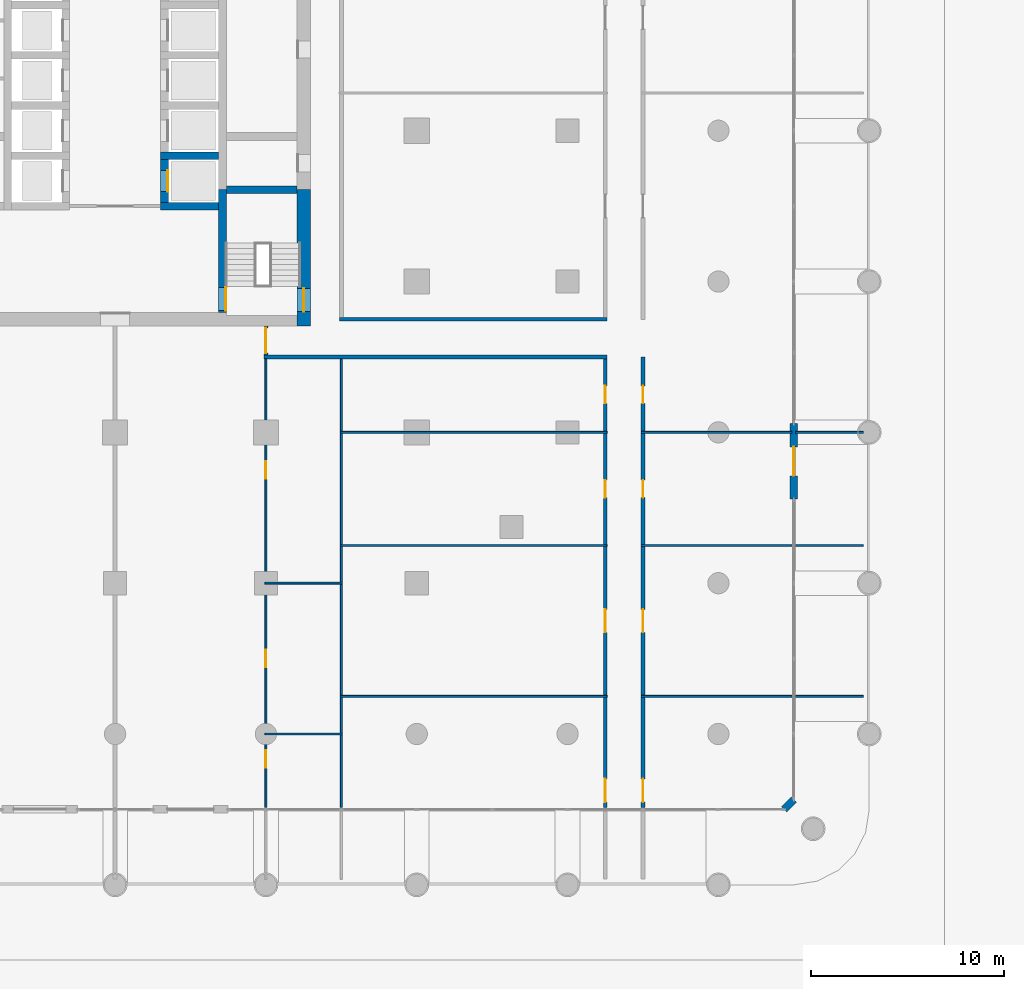
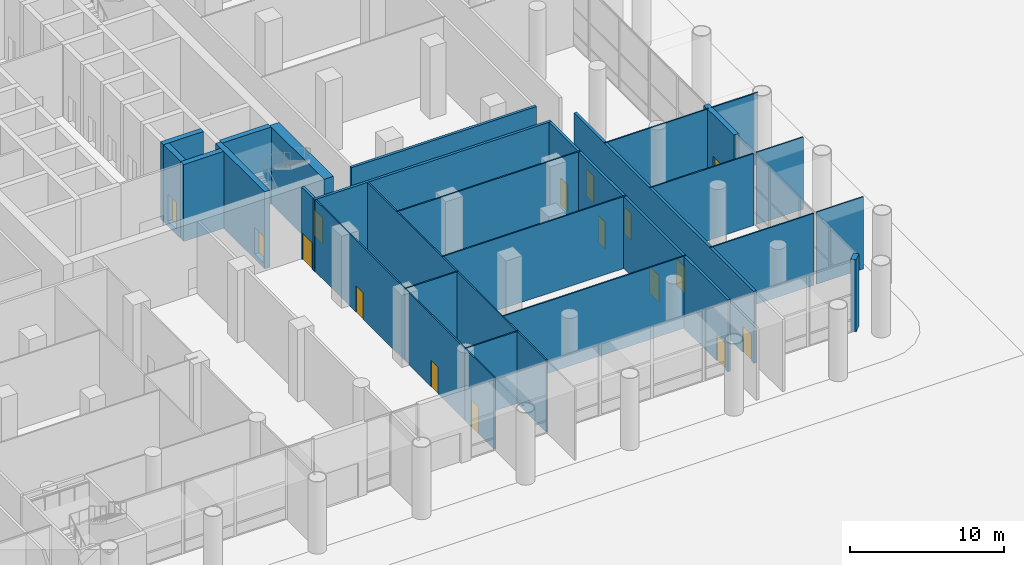
# One storey, part 12 of 32: 26 walls, 16 doors, 16 openings.
"""IFC4 building model written with IfcOpenShell, lengths in metres."""

import ifcopenshell
import ifcopenshell.guid

model = None  # the IFC model being written
_history = None  # IfcOwnerHistory: only IFC2X3 demands one
_inside = {}  # id of a spatial element -> (the spatial element, [elements in it])
_under = {}  # id of a project, library or spatial element -> (it, [spatial elements below it])
_declared = {}  # id of a project -> (the project, [libraries it declares])
_typed = {}  # id of a type object -> (the type object, [elements of that type])
_made_of = {}  # id of a material, layer set ... -> (it, [elements and type objects made of it])


def new_model(schema):
    """Start an empty IFC model of exactly this schema.

    Asked for "IFC4X3", IfcOpenShell would pick the latest addendum, in which some entities
    have other attributes; the version numbers below select the first issue.
    IFC2X3 requires an IfcOwnerHistory on every rooted entity: one is made here for all.
    """
    global model, _history
    if schema == "IFC4X3":
        model = ifcopenshell.file(schema_version=(4, 3, 0, 0))
    else:
        model = ifcopenshell.file(schema=schema)
    _inside.clear()
    _under.clear()
    _declared.clear()
    _typed.clear()
    _made_of.clear()
    _history = None
    if model.schema == "IFC2X3":
        org = make("IfcOrganization", Name="unknown")
        user = make(
            "IfcPersonAndOrganization",
            ThePerson=make("IfcPerson", FamilyName="unknown"),
            TheOrganization=org,
        )
        app = make(
            "IfcApplication",
            ApplicationDeveloper=org,
            Version="unknown",
            ApplicationFullName="unknown",
            ApplicationIdentifier="unknown",
        )
        _history = make(
            "IfcOwnerHistory",
            OwningUser=user,
            OwningApplication=app,
            ChangeAction="ADDED",
            CreationDate=0,
        )
    return model


def make(cls, **values):
    """One entity of the class cls with the attributes given. An attribute that is None is left unset."""
    return model.create_entity(
        cls, **{name: value for name, value in values.items() if value is not None}
    )


def rooted(cls, **values):
    """An entity with a GlobalId (a new one), such as an element, a storey or a relation."""
    return make(cls, GlobalId=ifcopenshell.guid.new(), OwnerHistory=_history, **values)


def si_unit(unit_type, name, prefix=None):
    """IfcSIUnit, for example si_unit("LENGTHUNIT", "METRE", prefix="MILLI")."""
    return make("IfcSIUnit", UnitType=unit_type, Prefix=prefix, Name=name)


def assignment(units):
    """IfcUnitAssignment: the units of a project."""
    return None if units is None else make("IfcUnitAssignment", Units=units)


def point(xyz):
    """IfcCartesianPoint."""
    return None if xyz is None else make("IfcCartesianPoint", Coordinates=xyz)


def direction(xyz):
    """IfcDirection."""
    return None if xyz is None else make("IfcDirection", DirectionRatios=xyz)


def frame(location, z_axis=None, x_axis=None):
    """IfcAxis2Placement3D, a coordinate frame: its origin and axes. An axis left out is left unset."""
    return make(
        "IfcAxis2Placement3D",
        Location=point(location),
        Axis=direction(z_axis),
        RefDirection=direction(x_axis),
    )


def frame_2d(location, x_axis=None):
    """IfcAxis2Placement2D, a coordinate frame in the plane: its origin and x axis."""
    return make(
        "IfcAxis2Placement2D", Location=point(location), RefDirection=direction(x_axis)
    )


def origin():
    """The frame at (0, 0, 0) with its axes left unset."""
    return frame((0.0, 0.0, 0.0))


def place(relative_to, where):
    """IfcLocalPlacement: puts the frame where relative to a parent placement (None: the world)."""
    return make(
        "IfcLocalPlacement", PlacementRelTo=relative_to, RelativePlacement=where
    )


def context(
    kind, dimensions, precision=None, world=None, true_north=None, identifier=None
):
    """IfcGeometricRepresentationContext, for example the 3D "Model" context."""
    return make(
        "IfcGeometricRepresentationContext",
        ContextIdentifier=identifier,
        ContextType=kind,
        CoordinateSpaceDimension=dimensions,
        Precision=precision,
        WorldCoordinateSystem=world,
        TrueNorth=true_north,
    )


def subcontext(parent, identifier, kind, view, scale=None):
    """IfcGeometricRepresentationSubContext, for example "Body" below "Model"."""
    return make(
        "IfcGeometricRepresentationSubContext",
        ContextIdentifier=identifier,
        ContextType=kind,
        ParentContext=parent,
        TargetScale=scale,
        TargetView=view,
    )


def project(units=None, contexts=None):
    """IfcProject with its units and contexts."""
    return rooted(
        "IfcProject",
        Name="project",
        RepresentationContexts=contexts,
        UnitsInContext=assignment(units),
    )


def spatial(cls, under=None, at=None, **own):
    """A site, building, storey or space (cls), placed at a placement, below another one or the project."""
    s = rooted(cls, ObjectPlacement=at, **own)
    if under is not None:
        _under.setdefault(under.id(), (under, []))[1].append(s)
    return s


def profile(cls, at=None, kind="AREA", **sizes):
    """A parametric profile (cls). Its sizes go by their IFC names, for example OverallWidth=200.0."""
    return make(cls, ProfileType=kind, Position=at, **sizes)


def rectangle(**sizes):
    """IfcRectangleProfileDef."""
    return profile("IfcRectangleProfileDef", **sizes)


def extrude(swept, where, along, depth):
    """IfcExtrudedAreaSolid: the profile swept, set in the frame where, extruded along a direction by depth."""
    return make(
        "IfcExtrudedAreaSolid",
        SweptArea=swept,
        Position=where,
        ExtrudedDirection=direction(along),
        Depth=depth,
    )


def shape(context_of_items, identifier, shape_type, items):
    """IfcShapeRepresentation: the items that make up one representation, for example the "Body"."""
    return make(
        "IfcShapeRepresentation",
        ContextOfItems=context_of_items,
        RepresentationIdentifier=identifier,
        RepresentationType=shape_type,
        Items=items,
    )


def material(Name=None, Category=None):
    """IfcMaterial."""
    return make("IfcMaterial", Name=Name, Category=Category)


def layer(
    of_material, thickness, ventilated=None, Name=None, Category=None, Priority=None
):
    """IfcMaterialLayer: one layer of a wall or slab, of a material (None: an air gap)."""
    return make(
        "IfcMaterialLayer",
        Material=of_material,
        LayerThickness=thickness,
        IsVentilated=ventilated,
        Name=Name,
        Category=Category,
        Priority=Priority,
    )


def layer_set(layers, Name=None):
    """IfcMaterialLayerSet."""
    return make("IfcMaterialLayerSet", MaterialLayers=layers, LayerSetName=Name)


def made_of(thing, what):
    """Note that an element or type object is made of a material, layer set ...; save() writes the relation."""
    if what is not None:
        _made_of.setdefault(what.id(), (what, []))[1].append(thing)
    return thing


def type_object(cls, material=None, **own):
    """A type object (cls), such as IfcWallType, which elements share."""
    return made_of(rooted(cls, **own), material)


def element(
    cls,
    number,
    at=None,
    inside=None,
    cuts=None,
    type_object=None,
    material=None,
    context=None,
    identifier="Body",
    shape_type=None,
    held_by="IfcProductDefinitionShape",
    body=None,
    shapes=None,
    **own,
):
    """One element of the class cls, such as IfcWall. Its Tag is "e" and its number.

    at: its placement. inside: the storey or other place that contains it. cuts: it is an
    opening in that element (IfcRelVoidsElement). A single representation is given by context,
    identifier, shape_type and body (its items); several are given by shapes. held_by: the class
    of the entity that holds the representations. save() writes the other relations.
    """
    e = rooted(cls, Tag="e%d" % number, ObjectPlacement=at, **own)
    if body is not None:
        shapes = [shape(context, identifier, shape_type, body)]
    if shapes is not None:
        e.Representation = make(held_by, Representations=shapes)
    if inside is not None:
        _inside.setdefault(inside.id(), (inside, []))[1].append(e)
    if cuts is not None:
        rooted(
            "IfcRelVoidsElement", RelatingBuildingElement=cuts, RelatedOpeningElement=e
        )
    if type_object is not None:
        _typed.setdefault(type_object.id(), (type_object, []))[1].append(e)
    return made_of(e, material)


def fill(opening, filler):
    """IfcRelFillsElement: the door or window that sits in an opening."""
    return rooted(
        "IfcRelFillsElement",
        RelatingOpeningElement=opening,
        RelatedBuildingElement=filler,
    )


def aggregate(whole, parts):
    """IfcRelAggregates: a whole, such as a stair, and the parts it consists of."""
    return rooted("IfcRelAggregates", RelatingObject=whole, RelatedObjects=parts)


def save(model, path):
    """Write the relations noted so far, then the file.

    IfcRelAggregates (storeys below a building ...), IfcRelContainedInSpatialStructure (elements
    in a storey), IfcRelDefinesByType, IfcRelAssociatesMaterial and IfcRelDeclares: one each for
    every whole, place, type object, material and project.
    """
    for whole, parts in _under.values():
        aggregate(whole, parts)
    for where, things in _inside.values():
        rooted(
            "IfcRelContainedInSpatialStructure",
            RelatedElements=things,
            RelatingStructure=where,
        )
    for kind, things in _typed.values():
        rooted("IfcRelDefinesByType", RelatedObjects=things, RelatingType=kind)
    for what, things in _made_of.values():
        rooted("IfcRelAssociatesMaterial", RelatedObjects=things, RelatingMaterial=what)
    for by, libraries in _declared.values():
        rooted("IfcRelDeclares", RelatingContext=by, RelatedDefinitions=libraries)
    model.write(path)


model = new_model("IFC4")

# Units and contexts
model_context = context("Model", 3, precision=1e-05, world=origin(), true_north=direction((0.0, 1.0)))
body_context = subcontext(model_context, "Body", "Model", "MODEL_VIEW")
ifc_project = project(units=[si_unit("LENGTHUNIT", "METRE"), si_unit("AREAUNIT", "SQUARE_METRE"), si_unit("VOLUMEUNIT", "CUBIC_METRE"), si_unit("PLANEANGLEUNIT", "RADIAN"), si_unit("MASSUNIT", "GRAM", prefix="KILO")], contexts=[model_context])

# Site, building, storey
site_placement = place(None, origin())
site = spatial("IfcSite", under=ifc_project, at=site_placement, CompositionType="ELEMENT")
building_placement = place(site_placement, origin())
building = spatial("IfcBuilding", under=site, at=building_placement, Name="Ludao Terraces", CompositionType="ELEMENT")
storey_placement = place(building_placement, origin())
storey = spatial("IfcBuildingStorey", under=building, at=storey_placement, Name="L00", CompositionType="ELEMENT", Elevation=0.0)

# Wall, opening, door
ifc_material_1 = material(Name="Concrete C70", Category="concrete")
ifc_layer_1 = layer(ifc_material_1, 0.699951171875)
ifc_layer_set_1 = layer_set([ifc_layer_1], Name="Core wall 700 C70")
wall_type_1 = type_object("IfcWallType", Name="Core wall 700 C70", PredefinedType="SOLIDWALL", material=ifc_layer_set_1)
wall_1_placement = place(storey_placement, frame((94.75, 54.89990234375, -0.39990234375), z_axis=(0.0, 0.0, 1.0), x_axis=(0.0, 1.0, 0.0)))
wall_1 = element("IfcWall", 1, at=wall_1_placement, inside=storey, type_object=wall_type_1, Name="Core wall L00 outer-E-S3", PredefinedType="SOLIDWALL", context=body_context, shape_type="SweptSolid", body=[
    extrude(rectangle(XDim=7.050048828125, YDim=0.699951171875, at=frame_2d((3.52490234375, 0.0))), origin(), (0.0, 0.0, 1.0), 6.099853515625),
])
opening_1_placement = place(wall_1_placement, frame((0.75, 0.0, 0.39990234375)))
opening_1 = element("IfcOpeningElement", 2, at=opening_1_placement, cuts=wall_1, Name="Opening L00-027", PredefinedType="OPENING", context=body_context, shape_type="SweptSolid", body=[
    extrude(rectangle(XDim=1.199951171875, YDim=2.10009765625, at=frame_2d((0.60009765625, 1.050048828125))), frame((0.0, 0.35986328125, 0.0), z_axis=(0.0, -1.0, 0.0), x_axis=(1.0, 0.0, 0.0)), (0.0, 0.0, 1.0), 0.719970703125),
])
ifc_material_2 = material(Name="Steel Q235", Category="steel")
door_type_1 = type_object("IfcDoorType", Name="INT Stair door 1200", OperationType="DOUBLE_DOOR_SINGLE_SWING", PredefinedType="DOOR", material=ifc_material_2)
door_1_placement = place(opening_1_placement, frame((1.199951171875, 0.0, 0.0), z_axis=(0.0, 0.0, 1.0), x_axis=(-1.0, 0.0, 0.0)))
door_1 = element("IfcDoor", 3, at=door_1_placement, inside=storey, type_object=door_type_1, Name="DOOR 027", OperationType="DOUBLE_DOOR_SINGLE_SWING", OverallHeight=2.10009765625, OverallWidth=1.199951171875, PredefinedType="DOOR", context=body_context, shape_type="SweptSolid", body=[
    extrude(rectangle(XDim=1.199951171875, YDim=2.10009765625, at=frame_2d((0.60009765625, 1.050048828125))), frame((0.0, 0.02490234375, 0.0), z_axis=(0.0, -1.0, 0.0), x_axis=(1.0, 0.0, 0.0)), (0.0, 0.0, 1.0), 0.050048828125),
])
fill(opening_1, door_1)

ifc_material_3 = material(Name="Granite cladding", Category="masonry")
ifc_layer_2 = layer(ifc_material_3, 0.06005859375, Category="stone")
ifc_material_4 = material(Name="Mineral wool")
ifc_layer_3 = layer(ifc_material_4, 0.06005859375)
ifc_material_5 = material(Name="Concrete C40", Category="concrete")
ifc_layer_4 = layer(ifc_material_5, 0.260009765625, Category="concrete")
ifc_layer_set_2 = layer_set([ifc_layer_2, ifc_layer_3, ifc_layer_4], Name="ENV Entrance portal wall 380")
wall_type_2 = type_object("IfcWallType", Name="ENV Entrance portal wall 380", PredefinedType="SOLIDWALL", material=ifc_layer_set_2)
wall_2_placement = place(storey_placement, frame((120.10009765625, 45.949951171875, 0.0), z_axis=(0.0, 0.0, 1.0), x_axis=(0.0, 1.0, 0.0)))
wall_2 = element("IfcWall", 4, at=wall_2_placement, inside=storey, type_object=wall_type_2, Name="EW-L00-EP4", PredefinedType="SOLIDWALL", context=body_context, shape_type="SweptSolid", body=[
    extrude(rectangle(XDim=3.900146484375, YDim=0.3798828125, at=frame_2d((1.9501953125, 0.0))), origin(), (0.0, 0.0, 1.0), 5.699951171875),
])
opening_2_placement = place(wall_2_placement, frame((1.199951171875, 0.0, 0.0)))
opening_2 = element("IfcOpeningElement", 5, at=opening_2_placement, cuts=wall_2, Name="Opening XD", PredefinedType="OPENING", context=body_context, shape_type="SweptSolid", body=[
    extrude(rectangle(XDim=1.5, YDim=2.39990234375, at=frame_2d((0.75, 1.199951171875))), frame((0.0, 0.199951171875, 0.0), z_axis=(0.0, -1.0, 0.0), x_axis=(1.0, 0.0, 0.0)), (0.0, 0.0, 1.0), 0.39990234375),
])
ifc_layer_5 = layer(ifc_material_2, 0.06005859375)
ifc_layer_set_3 = layer_set([ifc_layer_5], Name="ENV Stair discharge door XD 1500x2400")
door_type_2 = type_object("IfcDoorType", Name="ENV Stair discharge door XD 1500x2400", OperationType="DOUBLE_DOOR_SINGLE_SWING", PredefinedType="DOOR", material=ifc_layer_set_3)
door_2_placement = place(opening_2_placement, frame((1.5, 0.0, 0.0), z_axis=(0.0, 0.0, 1.0), x_axis=(-1.0, 0.0, 0.0)))
door_2 = element("IfcDoor", 6, at=door_2_placement, inside=storey, type_object=door_type_2, Name="EX-L00-E4", OperationType="DOUBLE_DOOR_SINGLE_SWING", OverallHeight=2.39990234375, OverallWidth=1.5, PredefinedType="DOOR", context=body_context, shape_type="SweptSolid", body=[
    extrude(rectangle(XDim=1.5, YDim=2.39990234375, at=frame_2d((0.75, 1.199951171875))), frame((0.0, 0.02490234375, 0.0), z_axis=(0.0, -1.0, 0.0), x_axis=(1.0, 0.0, 0.0)), (0.0, 0.0, 1.0), 0.050048828125),
])
fill(opening_2, door_2)

# Walls
ifc_layer_6 = layer(ifc_material_3, 0.06005859375, Category="stone")
ifc_layer_7 = layer(ifc_material_4, 0.06005859375)
ifc_layer_8 = layer(ifc_material_5, 0.260009765625, Category="concrete")
ifc_layer_set_4 = layer_set([ifc_layer_6, ifc_layer_7, ifc_layer_8], Name="ENV Stone-clad wall 380")
wall_type_3 = type_object("IfcWallType", Name="ENV Stone-clad wall 380", PredefinedType="SOLIDWALL", material=ifc_layer_set_4)
wall_3_placement = place(storey_placement, frame((119.60009765625, 29.89990234375, 0.0), z_axis=(0.0, 0.0, 1.0), x_axis=(0.707106781187, 0.707106781187, 0.0)))
element("IfcWall", 7, at=wall_3_placement, inside=storey, type_object=wall_type_3, Name="EW-L00-SE", PredefinedType="SOLIDWALL", context=body_context, shape_type="SweptSolid", body=[
    extrude(rectangle(XDim=0.70703125, YDim=0.3798828125, at=frame_2d((0.353515625, 0.0))), origin(), (0.0, 0.0, 1.0), 5.699951171875),
])
ifc_material_6 = material(Name="Autoclaved aerated concrete block B06 A3.5", Category="concrete")
ifc_layer_9 = layer(ifc_material_6, 0.199951171875)
ifc_layer_set_5 = layer_set([ifc_layer_9], Name="INT Entrance wall 200")
wall_type_4 = type_object("IfcWallType", Name="INT Entrance wall 200", PredefinedType="PARTITIONING", material=ifc_layer_set_5)
wall_4_placement = place(storey_placement, frame((92.7001953125, 53.300048828125, 0.0), z_axis=(0.0, 0.0, 1.0), x_axis=(1.0, 0.0, 0.0)))
element("IfcWall", 8, at=wall_4_placement, inside=storey, type_object=wall_type_4, Name="PW-L00-PW023", PredefinedType="PARTITIONING", context=body_context, shape_type="SweptSolid", body=[
    extrude(rectangle(XDim=17.75, YDim=0.199951171875, at=frame_2d((8.875, 0.0))), origin(), (0.0, 0.0, 1.0), 5.699951171875),
])
wall_5_placement = place(storey_placement, frame((96.60009765625, 55.25, 0.0), z_axis=(0.0, 0.0, 1.0), x_axis=(1.0, 0.0, 0.0)))
element("IfcWall", 9, at=wall_5_placement, inside=storey, type_object=wall_type_4, Name="PW-L00-PW025", PredefinedType="PARTITIONING", context=body_context, shape_type="SweptSolid", body=[
    extrude(rectangle(XDim=13.85009765625, YDim=0.199951171875, at=frame_2d((6.925048828125, 0.0))), origin(), (0.0, 0.0, 1.0), 5.699951171875),
])

# Wall, opening, door
wall_6_placement = place(storey_placement, frame((92.800048828125, 53.400146484375, 0.0), z_axis=(0.0, 0.0, 1.0), x_axis=(0.0, 1.0, 0.0)))
wall_6 = element("IfcWall", 10, at=wall_6_placement, inside=storey, type_object=wall_type_4, Name="PW-L00-PW066", PredefinedType="PARTITIONING", context=body_context, shape_type="SweptSolid", body=[
    extrude(rectangle(XDim=1.5, YDim=0.199951171875, at=frame_2d((0.75, 0.0))), origin(), (0.0, 0.0, 1.0), 5.699951171875),
])
opening_3_placement = place(wall_6_placement, frame((0.10009765625, 0.0, 0.0)))
opening_3 = element("IfcOpeningElement", 11, at=opening_3_placement, cuts=wall_6, Name="Opening L00-024", PredefinedType="OPENING", context=body_context, shape_type="SweptSolid", body=[
    extrude(rectangle(XDim=1.300048828125, YDim=2.10009765625, at=frame_2d((0.64990234375, 1.050048828125))), frame((0.0, 0.10986328125, 0.0), z_axis=(0.0, -1.0, 0.0), x_axis=(1.0, 0.0, 0.0)), (0.0, 0.0, 1.0), 0.219970703125),
])
door_type_3 = type_object("IfcDoorType", Name="INT Lobby door 1300", OperationType="DOUBLE_DOOR_SINGLE_SWING", PredefinedType="DOOR", material=ifc_material_2)
door_3_placement = place(opening_3_placement, origin())
door_3 = element("IfcDoor", 12, at=door_3_placement, inside=storey, type_object=door_type_3, Name="DOOR 024", OperationType="DOUBLE_DOOR_SINGLE_SWING", OverallHeight=2.10009765625, OverallWidth=1.300048828125, PredefinedType="DOOR", context=body_context, shape_type="SweptSolid", body=[
    extrude(rectangle(XDim=1.300048828125, YDim=2.10009765625, at=frame_2d((0.64990234375, 1.050048828125))), frame((0.0, 0.02490234375, 0.0), z_axis=(0.0, -1.0, 0.0), x_axis=(1.0, 0.0, 0.0)), (0.0, 0.0, 1.0), 0.050048828125),
])
fill(opening_3, door_3)

# Wall, openings, doors
wall_7_placement = place(storey_placement, frame((110.35009765625, 30.0, 0.0), z_axis=(0.0, 0.0, 1.0), x_axis=(0.0, 1.0, 0.0)))
wall_7 = element("IfcWall", 13, at=wall_7_placement, inside=storey, type_object=wall_type_4, Name="PW-L00-PW072", PredefinedType="PARTITIONING", context=body_context, shape_type="SweptSolid", body=[
    extrude(rectangle(XDim=23.2001953125, YDim=0.199951171875, at=frame_2d((11.60009765625, 0.0))), origin(), (0.0, 0.0, 1.0), 5.699951171875),
])
opening_4_placement = place(wall_7_placement, frame((0.27490234375, 0.0, 0.0)))
opening_4 = element("IfcOpeningElement", 14, at=opening_4_placement, cuts=wall_7, Name="Opening L00-003", PredefinedType="OPENING", context=body_context, shape_type="SweptSolid", body=[
    extrude(rectangle(XDim=1.199951171875, YDim=2.10009765625, at=frame_2d((0.60009765625, 1.050048828125))), frame((0.0, 0.10986328125, 0.0), z_axis=(0.0, -1.0, 0.0), x_axis=(1.0, 0.0, 0.0)), (0.0, 0.0, 1.0), 0.219970703125),
])
opening_5_placement = place(wall_7_placement, frame((9.050048828125, 0.0, 0.0)))
opening_5 = element("IfcOpeningElement", 15, at=opening_5_placement, cuts=wall_7, Name="Opening L00-011", PredefinedType="OPENING", context=body_context, shape_type="SweptSolid", body=[
    extrude(rectangle(XDim=1.199951171875, YDim=2.10009765625, at=frame_2d((0.60009765625, 1.050048828125))), frame((0.0, 0.10986328125, 0.0), z_axis=(0.0, -1.0, 0.0), x_axis=(1.0, 0.0, 0.0)), (0.0, 0.0, 1.0), 0.219970703125),
])
opening_6_placement = place(wall_7_placement, frame((16.02490234375, 0.0, 0.0)))
opening_6 = element("IfcOpeningElement", 16, at=opening_6_placement, cuts=wall_7, Name="Opening L00-015", PredefinedType="OPENING", context=body_context, shape_type="SweptSolid", body=[
    extrude(rectangle(XDim=0.89990234375, YDim=2.10009765625, at=frame_2d((0.449951171875, 1.050048828125))), frame((0.0, 0.10986328125, 0.0), z_axis=(0.0, -1.0, 0.0), x_axis=(1.0, 0.0, 0.0)), (0.0, 0.0, 1.0), 0.219970703125),
])
opening_7_placement = place(wall_7_placement, frame((20.89990234375, 0.0, 0.0)))
opening_7 = element("IfcOpeningElement", 17, at=opening_7_placement, cuts=wall_7, Name="Opening L00-021", PredefinedType="OPENING", context=body_context, shape_type="SweptSolid", body=[
    extrude(rectangle(XDim=0.89990234375, YDim=2.10009765625, at=frame_2d((0.449951171875, 1.050048828125))), frame((0.0, 0.10986328125, 0.0), z_axis=(0.0, -1.0, 0.0), x_axis=(1.0, 0.0, 0.0)), (0.0, 0.0, 1.0), 0.219970703125),
])
ifc_material_7 = material(Name="Timber door leaf", Category="wood")
door_type_4 = type_object("IfcDoorType", Name="INT Double door 1200", OperationType="DOUBLE_DOOR_SINGLE_SWING", PredefinedType="DOOR", material=ifc_material_7)
door_4_placement = place(opening_4_placement, origin())
door_4 = element("IfcDoor", 18, at=door_4_placement, inside=storey, type_object=door_type_4, Name="DOOR 003", OperationType="DOUBLE_DOOR_SINGLE_SWING", OverallHeight=2.10009765625, OverallWidth=1.199951171875, PredefinedType="DOOR", context=body_context, shape_type="SweptSolid", body=[
    extrude(rectangle(XDim=1.199951171875, YDim=2.10009765625, at=frame_2d((0.60009765625, 1.050048828125))), frame((0.0, 0.02490234375, 0.0), z_axis=(0.0, -1.0, 0.0), x_axis=(1.0, 0.0, 0.0)), (0.0, 0.0, 1.0), 0.050048828125),
])
fill(opening_4, door_4)
door_5_placement = place(opening_5_placement, origin())
door_5 = element("IfcDoor", 19, at=door_5_placement, inside=storey, type_object=door_type_4, Name="DOOR 011", OperationType="DOUBLE_DOOR_SINGLE_SWING", OverallHeight=2.10009765625, OverallWidth=1.199951171875, PredefinedType="DOOR", context=body_context, shape_type="SweptSolid", body=[
    extrude(rectangle(XDim=1.199951171875, YDim=2.10009765625, at=frame_2d((0.60009765625, 1.050048828125))), frame((0.0, 0.02490234375, 0.0), z_axis=(0.0, -1.0, 0.0), x_axis=(1.0, 0.0, 0.0)), (0.0, 0.0, 1.0), 0.050048828125),
])
fill(opening_5, door_5)
door_type_5 = type_object("IfcDoorType", Name="INT Room door 900", OperationType="SINGLE_SWING_LEFT", PredefinedType="DOOR", material=ifc_material_7)
door_6_placement = place(opening_6_placement, origin())
door_6 = element("IfcDoor", 20, at=door_6_placement, inside=storey, type_object=door_type_5, Name="DOOR 015", OperationType="SINGLE_SWING_RIGHT", OverallHeight=2.10009765625, OverallWidth=0.89990234375, PredefinedType="DOOR", context=body_context, shape_type="SweptSolid", body=[
    extrude(rectangle(XDim=0.89990234375, YDim=2.10009765625, at=frame_2d((0.449951171875, 1.050048828125))), frame((0.0, 0.02490234375, 0.0), z_axis=(0.0, -1.0, 0.0), x_axis=(1.0, 0.0, 0.0)), (0.0, 0.0, 1.0), 0.050048828125),
])
fill(opening_6, door_6)
door_7_placement = place(opening_7_placement, origin())
door_7 = element("IfcDoor", 21, at=door_7_placement, inside=storey, type_object=door_type_5, Name="DOOR 021", OperationType="SINGLE_SWING_LEFT", OverallHeight=2.10009765625, OverallWidth=0.89990234375, PredefinedType="DOOR", context=body_context, shape_type="SweptSolid", body=[
    extrude(rectangle(XDim=0.89990234375, YDim=2.10009765625, at=frame_2d((0.449951171875, 1.050048828125))), frame((0.0, 0.02490234375, 0.0), z_axis=(0.0, -1.0, 0.0), x_axis=(1.0, 0.0, 0.0)), (0.0, 0.0, 1.0), 0.050048828125),
])
fill(opening_7, door_7)

wall_8_placement = place(storey_placement, frame((112.300048828125, 30.0, 0.0), z_axis=(0.0, 0.0, 1.0), x_axis=(0.0, 1.0, 0.0)))
wall_8 = element("IfcWall", 22, at=wall_8_placement, inside=storey, type_object=wall_type_4, Name="PW-L00-PW075", PredefinedType="PARTITIONING", context=body_context, shape_type="SweptSolid", body=[
    extrude(rectangle(XDim=23.300048828125, YDim=0.199951171875, at=frame_2d((11.64990234375, 0.0))), origin(), (0.0, 0.0, 1.0), 5.699951171875),
])
opening_8_placement = place(wall_8_placement, frame((0.27490234375, 0.0, 0.0)))
opening_8 = element("IfcOpeningElement", 23, at=opening_8_placement, cuts=wall_8, Name="Opening L00-004", PredefinedType="OPENING", context=body_context, shape_type="SweptSolid", body=[
    extrude(rectangle(XDim=1.199951171875, YDim=2.10009765625, at=frame_2d((0.60009765625, 1.050048828125))), frame((0.0, 0.10986328125, 0.0), z_axis=(0.0, -1.0, 0.0), x_axis=(1.0, 0.0, 0.0)), (0.0, 0.0, 1.0), 0.219970703125),
])
opening_9_placement = place(wall_8_placement, frame((9.050048828125, 0.0, 0.0)))
opening_9 = element("IfcOpeningElement", 24, at=opening_9_placement, cuts=wall_8, Name="Opening L00-012", PredefinedType="OPENING", context=body_context, shape_type="SweptSolid", body=[
    extrude(rectangle(XDim=1.199951171875, YDim=2.10009765625, at=frame_2d((0.60009765625, 1.050048828125))), frame((0.0, 0.10986328125, 0.0), z_axis=(0.0, -1.0, 0.0), x_axis=(1.0, 0.0, 0.0)), (0.0, 0.0, 1.0), 0.219970703125),
])
opening_10_placement = place(wall_8_placement, frame((16.02490234375, 0.0, 0.0)))
opening_10 = element("IfcOpeningElement", 25, at=opening_10_placement, cuts=wall_8, Name="Opening L00-016", PredefinedType="OPENING", context=body_context, shape_type="SweptSolid", body=[
    extrude(rectangle(XDim=0.89990234375, YDim=2.10009765625, at=frame_2d((0.449951171875, 1.050048828125))), frame((0.0, 0.10986328125, 0.0), z_axis=(0.0, -1.0, 0.0), x_axis=(1.0, 0.0, 0.0)), (0.0, 0.0, 1.0), 0.219970703125),
])
opening_11_placement = place(wall_8_placement, frame((20.89990234375, 0.0, 0.0)))
opening_11 = element("IfcOpeningElement", 26, at=opening_11_placement, cuts=wall_8, Name="Opening L00-022", PredefinedType="OPENING", context=body_context, shape_type="SweptSolid", body=[
    extrude(rectangle(XDim=0.89990234375, YDim=2.10009765625, at=frame_2d((0.449951171875, 1.050048828125))), frame((0.0, 0.10986328125, 0.0), z_axis=(0.0, -1.0, 0.0), x_axis=(1.0, 0.0, 0.0)), (0.0, 0.0, 1.0), 0.219970703125),
])
door_8_placement = place(opening_8_placement, origin())
door_8 = element("IfcDoor", 27, at=door_8_placement, inside=storey, type_object=door_type_4, Name="DOOR 004", OperationType="DOUBLE_DOOR_SINGLE_SWING", OverallHeight=2.10009765625, OverallWidth=1.199951171875, PredefinedType="DOOR", context=body_context, shape_type="SweptSolid", body=[
    extrude(rectangle(XDim=1.199951171875, YDim=2.10009765625, at=frame_2d((0.60009765625, 1.050048828125))), frame((0.0, 0.02490234375, 0.0), z_axis=(0.0, -1.0, 0.0), x_axis=(1.0, 0.0, 0.0)), (0.0, 0.0, 1.0), 0.050048828125),
])
fill(opening_8, door_8)
door_9_placement = place(opening_9_placement, origin())
door_9 = element("IfcDoor", 28, at=door_9_placement, inside=storey, type_object=door_type_4, Name="DOOR 012", OperationType="DOUBLE_DOOR_SINGLE_SWING", OverallHeight=2.10009765625, OverallWidth=1.199951171875, PredefinedType="DOOR", context=body_context, shape_type="SweptSolid", body=[
    extrude(rectangle(XDim=1.199951171875, YDim=2.10009765625, at=frame_2d((0.60009765625, 1.050048828125))), frame((0.0, 0.02490234375, 0.0), z_axis=(0.0, -1.0, 0.0), x_axis=(1.0, 0.0, 0.0)), (0.0, 0.0, 1.0), 0.050048828125),
])
fill(opening_9, door_9)
door_10_placement = place(opening_10_placement, origin())
door_10 = element("IfcDoor", 29, at=door_10_placement, inside=storey, type_object=door_type_5, Name="DOOR 016", OperationType="SINGLE_SWING_LEFT", OverallHeight=2.10009765625, OverallWidth=0.89990234375, PredefinedType="DOOR", context=body_context, shape_type="SweptSolid", body=[
    extrude(rectangle(XDim=0.89990234375, YDim=2.10009765625, at=frame_2d((0.449951171875, 1.050048828125))), frame((0.0, 0.02490234375, 0.0), z_axis=(0.0, -1.0, 0.0), x_axis=(1.0, 0.0, 0.0)), (0.0, 0.0, 1.0), 0.050048828125),
])
fill(opening_10, door_10)
door_11_placement = place(opening_11_placement, origin())
door_11 = element("IfcDoor", 30, at=door_11_placement, inside=storey, type_object=door_type_5, Name="DOOR 022", OperationType="SINGLE_SWING_RIGHT", OverallHeight=2.10009765625, OverallWidth=0.89990234375, PredefinedType="DOOR", context=body_context, shape_type="SweptSolid", body=[
    extrude(rectangle(XDim=0.89990234375, YDim=2.10009765625, at=frame_2d((0.449951171875, 1.050048828125))), frame((0.0, 0.02490234375, 0.0), z_axis=(0.0, -1.0, 0.0), x_axis=(1.0, 0.0, 0.0)), (0.0, 0.0, 1.0), 0.050048828125),
])
fill(opening_11, door_11)

# Walls
ifc_material_8 = material(Name="Gypsum plasterboard", Category="gypsum")
ifc_layer_10 = layer(ifc_material_8, 0.012451171875, Category="gypsum")
ifc_layer_11 = layer(ifc_material_4, 0.06005859375, Name="insulation")
ifc_layer_12 = layer(ifc_material_2, 0.014892578125, Name="stud")
ifc_layer_13 = layer(ifc_material_8, 0.012451171875, Category="gypsum")
ifc_layer_set_6 = layer_set([ifc_layer_10, ifc_layer_11, ifc_layer_12, ifc_layer_13], Name="INT Partition 100")
wall_type_5 = type_object("IfcWallType", Name="INT Partition 100", PredefinedType="PARTITIONING", material=ifc_layer_set_6)
wall_9_placement = place(storey_placement, frame((92.75, 33.800048828125, 0.0), z_axis=(0.0, 0.0, 1.0), x_axis=(1.0, 0.0, 0.0)))
element("IfcWall", 31, at=wall_9_placement, inside=storey, type_object=wall_type_5, Name="PW-L00-PW004", PredefinedType="PARTITIONING", context=body_context, shape_type="SweptSolid", body=[
    extrude(rectangle(XDim=4.0, YDim=0.10009765625, at=frame_2d((2.0, 0.0))), origin(), (0.0, 0.0, 1.0), 5.699951171875),
])
wall_10_placement = place(storey_placement, frame((96.650146484375, 35.75, 0.0), z_axis=(0.0, 0.0, 1.0), x_axis=(1.0, 0.0, 0.0)))
element("IfcWall", 32, at=wall_10_placement, inside=storey, type_object=wall_type_5, Name="PW-L00-PW005", PredefinedType="PARTITIONING", context=body_context, shape_type="SweptSolid", body=[
    extrude(rectangle(XDim=13.800048828125, YDim=0.10009765625, at=frame_2d((6.89990234375, 0.0))), origin(), (0.0, 0.0, 1.0), 5.699951171875),
])
wall_11_placement = place(storey_placement, frame((112.2001953125, 35.75, 0.0), z_axis=(0.0, 0.0, 1.0), x_axis=(1.0, 0.0, 0.0)))
element("IfcWall", 33, at=wall_11_placement, inside=storey, type_object=wall_type_5, Name="PW-L00-PW006", PredefinedType="PARTITIONING", context=body_context, shape_type="SweptSolid", body=[
    extrude(rectangle(XDim=7.7998046875, YDim=0.10009765625, at=frame_2d((3.89990234375, 0.0))), origin(), (0.0, 0.0, 1.0), 5.699951171875),
])
wall_12_placement = place(storey_placement, frame((120.199951171875, 35.75, 0.0), z_axis=(0.0, 0.0, 1.0), x_axis=(1.0, 0.0, 0.0)))
element("IfcWall", 34, at=wall_12_placement, inside=storey, type_object=wall_type_5, Name="PW-L00-PW007", PredefinedType="PARTITIONING", context=body_context, shape_type="SweptSolid", body=[
    extrude(rectangle(XDim=3.500244140625, YDim=0.10009765625, at=frame_2d((1.75, 0.0))), origin(), (0.0, 0.0, 1.0), 5.699951171875),
])
wall_13_placement = place(storey_placement, frame((92.75, 41.60009765625, 0.0), z_axis=(0.0, 0.0, 1.0), x_axis=(1.0, 0.0, 0.0)))
element("IfcWall", 35, at=wall_13_placement, inside=storey, type_object=wall_type_5, Name="PW-L00-PW012", PredefinedType="PARTITIONING", context=body_context, shape_type="SweptSolid", body=[
    extrude(rectangle(XDim=4.0, YDim=0.10009765625, at=frame_2d((2.0, 0.0))), origin(), (0.0, 0.0, 1.0), 5.699951171875),
])
wall_14_placement = place(storey_placement, frame((96.650146484375, 43.550048828125, 0.0), z_axis=(0.0, 0.0, 1.0), x_axis=(1.0, 0.0, 0.0)))
element("IfcWall", 36, at=wall_14_placement, inside=storey, type_object=wall_type_5, Name="PW-L00-PW013", PredefinedType="PARTITIONING", context=body_context, shape_type="SweptSolid", body=[
    extrude(rectangle(XDim=13.800048828125, YDim=0.10009765625, at=frame_2d((6.89990234375, 0.0))), origin(), (0.0, 0.0, 1.0), 5.699951171875),
])
wall_15_placement = place(storey_placement, frame((112.2001953125, 43.550048828125, 0.0), z_axis=(0.0, 0.0, 1.0), x_axis=(1.0, 0.0, 0.0)))
element("IfcWall", 37, at=wall_15_placement, inside=storey, type_object=wall_type_5, Name="PW-L00-PW014", PredefinedType="PARTITIONING", context=body_context, shape_type="SweptSolid", body=[
    extrude(rectangle(XDim=7.7998046875, YDim=0.10009765625, at=frame_2d((3.89990234375, 0.0))), origin(), (0.0, 0.0, 1.0), 5.699951171875),
])
wall_16_placement = place(storey_placement, frame((120.199951171875, 43.550048828125, 0.0), z_axis=(0.0, 0.0, 1.0), x_axis=(1.0, 0.0, 0.0)))
element("IfcWall", 38, at=wall_16_placement, inside=storey, type_object=wall_type_5, Name="PW-L00-PW015", PredefinedType="PARTITIONING", context=body_context, shape_type="SweptSolid", body=[
    extrude(rectangle(XDim=3.500244140625, YDim=0.10009765625, at=frame_2d((1.75, 0.0))), origin(), (0.0, 0.0, 1.0), 5.699951171875),
])
wall_17_placement = place(storey_placement, frame((96.650146484375, 49.39990234375, 0.0), z_axis=(0.0, 0.0, 1.0), x_axis=(1.0, 0.0, 0.0)))
element("IfcWall", 39, at=wall_17_placement, inside=storey, type_object=wall_type_5, Name="PW-L00-PW019", PredefinedType="PARTITIONING", context=body_context, shape_type="SweptSolid", body=[
    extrude(rectangle(XDim=13.800048828125, YDim=0.10009765625, at=frame_2d((6.89990234375, 0.0))), origin(), (0.0, 0.0, 1.0), 5.699951171875),
])
wall_18_placement = place(storey_placement, frame((112.2001953125, 49.39990234375, 0.0), z_axis=(0.0, 0.0, 1.0), x_axis=(1.0, 0.0, 0.0)))
element("IfcWall", 40, at=wall_18_placement, inside=storey, type_object=wall_type_5, Name="PW-L00-PW020", PredefinedType="PARTITIONING", context=body_context, shape_type="SweptSolid", body=[
    extrude(rectangle(XDim=7.7998046875, YDim=0.10009765625, at=frame_2d((3.89990234375, 0.0))), origin(), (0.0, 0.0, 1.0), 5.699951171875),
])
wall_19_placement = place(storey_placement, frame((120.199951171875, 49.39990234375, 0.0), z_axis=(0.0, 0.0, 1.0), x_axis=(1.0, 0.0, 0.0)))
element("IfcWall", 41, at=wall_19_placement, inside=storey, type_object=wall_type_5, Name="PW-L00-PW021", PredefinedType="PARTITIONING", context=body_context, shape_type="SweptSolid", body=[
    extrude(rectangle(XDim=3.500244140625, YDim=0.10009765625, at=frame_2d((1.75, 0.0))), origin(), (0.0, 0.0, 1.0), 5.699951171875),
])

# Wall, openings, doors
wall_20_placement = place(storey_placement, frame((92.800048828125, 30.0, 0.0), z_axis=(0.0, 0.0, 1.0), x_axis=(0.0, 1.0, 0.0)))
wall_20 = element("IfcWall", 42, at=wall_20_placement, inside=storey, type_object=wall_type_5, Name="PW-L00-PW065", PredefinedType="PARTITIONING", context=body_context, shape_type="SweptSolid", body=[
    extrude(rectangle(XDim=23.2001953125, YDim=0.10009765625, at=frame_2d((11.60009765625, 0.0))), origin(), (0.0, 0.0, 1.0), 5.699951171875),
])
opening_12_placement = place(wall_20_placement, frame((2.050048828125, 0.0, 0.0)))
opening_12 = element("IfcOpeningElement", 43, at=opening_12_placement, cuts=wall_20, Name="Opening L00-006", PredefinedType="OPENING", context=body_context, shape_type="SweptSolid", body=[
    extrude(rectangle(XDim=0.89990234375, YDim=2.10009765625, at=frame_2d((0.449951171875, 1.050048828125))), frame((0.0, 0.06005859375, 0.0), z_axis=(0.0, -1.0, 0.0), x_axis=(1.0, 0.0, 0.0)), (0.0, 0.0, 1.0), 0.1201171875),
])
opening_13_placement = place(wall_20_placement, frame((7.25, 0.0, 0.0)))
opening_13 = element("IfcOpeningElement", 44, at=opening_13_placement, cuts=wall_20, Name="Opening L00-010", PredefinedType="OPENING", context=body_context, shape_type="SweptSolid", body=[
    extrude(rectangle(XDim=0.89990234375, YDim=2.10009765625, at=frame_2d((0.449951171875, 1.050048828125))), frame((0.0, 0.06005859375, 0.0), z_axis=(0.0, -1.0, 0.0), x_axis=(1.0, 0.0, 0.0)), (0.0, 0.0, 1.0), 0.1201171875),
])
opening_14_placement = place(wall_20_placement, frame((17.0, 0.0, 0.0)))
opening_14 = element("IfcOpeningElement", 45, at=opening_14_placement, cuts=wall_20, Name="Opening L00-018", PredefinedType="OPENING", context=body_context, shape_type="SweptSolid", body=[
    extrude(rectangle(XDim=0.89990234375, YDim=2.10009765625, at=frame_2d((0.449951171875, 1.050048828125))), frame((0.0, 0.06005859375, 0.0), z_axis=(0.0, -1.0, 0.0), x_axis=(1.0, 0.0, 0.0)), (0.0, 0.0, 1.0), 0.1201171875),
])
door_12_placement = place(opening_12_placement, origin())
door_12 = element("IfcDoor", 46, at=door_12_placement, inside=storey, type_object=door_type_5, Name="DOOR 006", OperationType="SINGLE_SWING_LEFT", OverallHeight=2.10009765625, OverallWidth=0.89990234375, PredefinedType="DOOR", context=body_context, shape_type="SweptSolid", body=[
    extrude(rectangle(XDim=0.89990234375, YDim=2.10009765625, at=frame_2d((0.449951171875, 1.050048828125))), frame((0.0, 0.02490234375, 0.0), z_axis=(0.0, -1.0, 0.0), x_axis=(1.0, 0.0, 0.0)), (0.0, 0.0, 1.0), 0.050048828125),
])
fill(opening_12, door_12)
door_13_placement = place(opening_13_placement, origin())
door_13 = element("IfcDoor", 47, at=door_13_placement, inside=storey, type_object=door_type_5, Name="DOOR 010", OperationType="SINGLE_SWING_LEFT", OverallHeight=2.10009765625, OverallWidth=0.89990234375, PredefinedType="DOOR", context=body_context, shape_type="SweptSolid", body=[
    extrude(rectangle(XDim=0.89990234375, YDim=2.10009765625, at=frame_2d((0.449951171875, 1.050048828125))), frame((0.0, 0.02490234375, 0.0), z_axis=(0.0, -1.0, 0.0), x_axis=(1.0, 0.0, 0.0)), (0.0, 0.0, 1.0), 0.050048828125),
])
fill(opening_13, door_13)
door_14_placement = place(opening_14_placement, origin())
door_14 = element("IfcDoor", 48, at=door_14_placement, inside=storey, type_object=door_type_5, Name="DOOR 018", OperationType="SINGLE_SWING_RIGHT", OverallHeight=2.10009765625, OverallWidth=0.89990234375, PredefinedType="DOOR", context=body_context, shape_type="SweptSolid", body=[
    extrude(rectangle(XDim=0.89990234375, YDim=2.10009765625, at=frame_2d((0.449951171875, 1.050048828125))), frame((0.0, 0.02490234375, 0.0), z_axis=(0.0, -1.0, 0.0), x_axis=(1.0, 0.0, 0.0)), (0.0, 0.0, 1.0), 0.050048828125),
])
fill(opening_14, door_14)

# Wall
wall_21_placement = place(storey_placement, frame((96.699951171875, 30.0, 0.0), z_axis=(0.0, 0.0, 1.0), x_axis=(0.0, 1.0, 0.0)))
element("IfcWall", 49, at=wall_21_placement, inside=storey, type_object=wall_type_5, Name="PW-L00-PW069", PredefinedType="PARTITIONING", context=body_context, shape_type="SweptSolid", body=[
    extrude(rectangle(XDim=23.2001953125, YDim=0.10009765625, at=frame_2d((11.60009765625, 0.0))), origin(), (0.0, 0.0, 1.0), 5.699951171875),
])

# Wall, opening, door
ifc_material_9 = material(Name="Concrete C60", Category="concrete")
ifc_layer_14 = layer(ifc_material_9, 0.39990234375)
ifc_layer_set_7 = layer_set([ifc_layer_14], Name="Shaft wall 400 C60")
wall_type_6 = type_object("IfcWallType", Name="Shaft wall 400 C60", PredefinedType="SOLIDWALL", material=ifc_layer_set_7)
wall_22_placement = place(storey_placement, frame((90.550048828125, 55.60009765625, -0.39990234375), z_axis=(0.0, 0.0, 1.0), x_axis=(0.0, 1.0, 0.0)))
wall_22 = element("IfcWall", 50, at=wall_22_placement, inside=storey, type_object=wall_type_6, Name="Core wall L00 back-E-S3", PredefinedType="SOLIDWALL", context=body_context, shape_type="SweptSolid", body=[
    extrude(rectangle(XDim=6.349853515625, YDim=0.39990234375, at=frame_2d((3.1748046875, 0.0))), origin(), (0.0, 0.0, 1.0), 6.099853515625),
])
opening_15_placement = place(wall_22_placement, frame((0.10009765625, 0.0, 0.39990234375)))
opening_15 = element("IfcOpeningElement", 51, at=opening_15_placement, cuts=wall_22, Name="Opening L00-026", PredefinedType="OPENING", context=body_context, shape_type="SweptSolid", body=[
    extrude(rectangle(XDim=1.199951171875, YDim=2.10009765625, at=frame_2d((0.60009765625, 1.050048828125))), frame((0.0, 0.2099609375, 0.0), z_axis=(0.0, -1.0, 0.0), x_axis=(1.0, 0.0, 0.0)), (0.0, 0.0, 1.0), 0.419921875),
])
door_15_placement = place(opening_15_placement, origin())
door_15 = element("IfcDoor", 52, at=door_15_placement, inside=storey, type_object=door_type_1, Name="DOOR 026", OperationType="DOUBLE_DOOR_SINGLE_SWING", OverallHeight=2.10009765625, OverallWidth=1.199951171875, PredefinedType="DOOR", context=body_context, shape_type="SweptSolid", body=[
    extrude(rectangle(XDim=1.199951171875, YDim=2.10009765625, at=frame_2d((0.60009765625, 1.050048828125))), frame((0.0, -0.134765625, 0.0), z_axis=(0.0, -1.0, 0.0), x_axis=(1.0, 0.0, 0.0)), (0.0, 0.0, 1.0), 0.050048828125),
])
fill(opening_15, door_15)

# Wall
wall_23_placement = place(storey_placement, frame((87.35009765625, 61.10009765625, -0.39990234375), z_axis=(0.0, 0.0, 1.0), x_axis=(1.0, 0.0, 0.0)))
element("IfcWall", 53, at=wall_23_placement, inside=storey, type_object=wall_type_6, Name="Core wall L00 div-E1", PredefinedType="SOLIDWALL", context=body_context, shape_type="SweptSolid", body=[
    extrude(rectangle(XDim=3.0, YDim=0.39990234375, at=frame_2d((1.5, 0.0))), origin(), (0.0, 0.0, 1.0), 6.099853515625),
])

# Wall, opening, door
wall_24_placement = place(storey_placement, frame((87.550048828125, 61.300048828125, -0.39990234375), z_axis=(0.0, 0.0, 1.0), x_axis=(0.0, 1.0, 0.0)))
wall_24 = element("IfcWall", 54, at=wall_24_placement, inside=storey, type_object=wall_type_6, Name="Core wall L00 front-E1", PredefinedType="SOLIDWALL", context=body_context, shape_type="SweptSolid", body=[
    extrude(rectangle(XDim=2.199951171875, YDim=0.39990234375, at=frame_2d((1.10009765625, 0.0))), origin(), (0.0, 0.0, 1.0), 6.099853515625),
])
opening_16_placement = place(wall_24_placement, frame((0.550048828125, 0.0, 0.39990234375)))
opening_16 = element("IfcOpeningElement", 55, at=opening_16_placement, cuts=wall_24, Name="Opening LD-SH1", PredefinedType="OPENING", context=body_context, shape_type="SweptSolid", body=[
    extrude(rectangle(XDim=1.10009765625, YDim=2.10009765625, at=frame_2d((0.550048828125, 1.050048828125))), frame((0.0, 0.2099609375, 0.0), z_axis=(0.0, -1.0, 0.0), x_axis=(1.0, 0.0, 0.0)), (0.0, 0.0, 1.0), 0.419921875),
])
ifc_material_10 = material(Name="Stainless steel 304", Category="steel")
door_type_6 = type_object("IfcDoorType", Name="INT Lift landing door 1100", OperationType="SLIDING_TO_LEFT", PredefinedType="DOOR", material=ifc_material_10)
door_16_placement = place(opening_16_placement, origin())
door_16 = element("IfcDoor", 56, at=door_16_placement, inside=storey, type_object=door_type_6, Name="LANDING DOOR SH1 L00", OperationType="SLIDING_TO_RIGHT", OverallHeight=2.10009765625, OverallWidth=1.10009765625, PredefinedType="DOOR", context=body_context, shape_type="SweptSolid", body=[
    extrude(rectangle(XDim=1.10009765625, YDim=2.10009765625, at=frame_2d((0.550048828125, 1.050048828125))), frame((0.0, -0.134765625, 0.0), z_axis=(0.0, -1.0, 0.0), x_axis=(1.0, 0.0, 0.0)), (0.0, 0.0, 1.0), 0.050048828125),
])
fill(opening_16, door_16)

# Walls
wall_25_placement = place(storey_placement, frame((87.35009765625, 63.699951171875, -0.39990234375), z_axis=(0.0, 0.0, 1.0), x_axis=(1.0, 0.0, 0.0)))
element("IfcWall", 57, at=wall_25_placement, inside=storey, type_object=wall_type_6, Name="Core wall L00 div-E2", PredefinedType="SOLIDWALL", context=body_context, shape_type="SweptSolid", body=[
    extrude(rectangle(XDim=3.0, YDim=0.39990234375, at=frame_2d((1.5, 0.0))), origin(), (0.0, 0.0, 1.0), 6.099853515625),
])
wall_26_placement = place(storey_placement, frame((90.75, 61.949951171875, -0.39990234375), z_axis=(0.0, 0.0, 1.0), x_axis=(1.0, 0.0, 0.0)))
element("IfcWall", 58, at=wall_26_placement, inside=storey, type_object=wall_type_6, Name="Core wall L00 hall-E", PredefinedType="SOLIDWALL", context=body_context, shape_type="SweptSolid", body=[
    extrude(rectangle(XDim=3.64990234375, YDim=0.39990234375, at=frame_2d((1.824951171875, 0.0))), origin(), (0.0, 0.0, 1.0), 6.099853515625),
])

save(model, "model.ifc")
